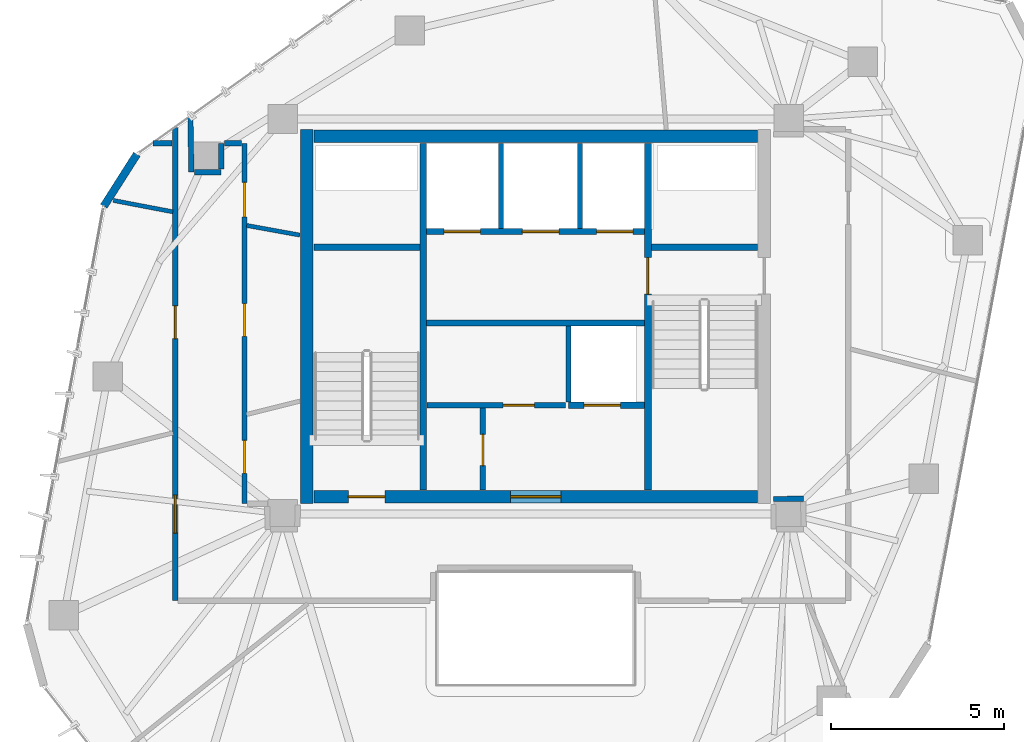
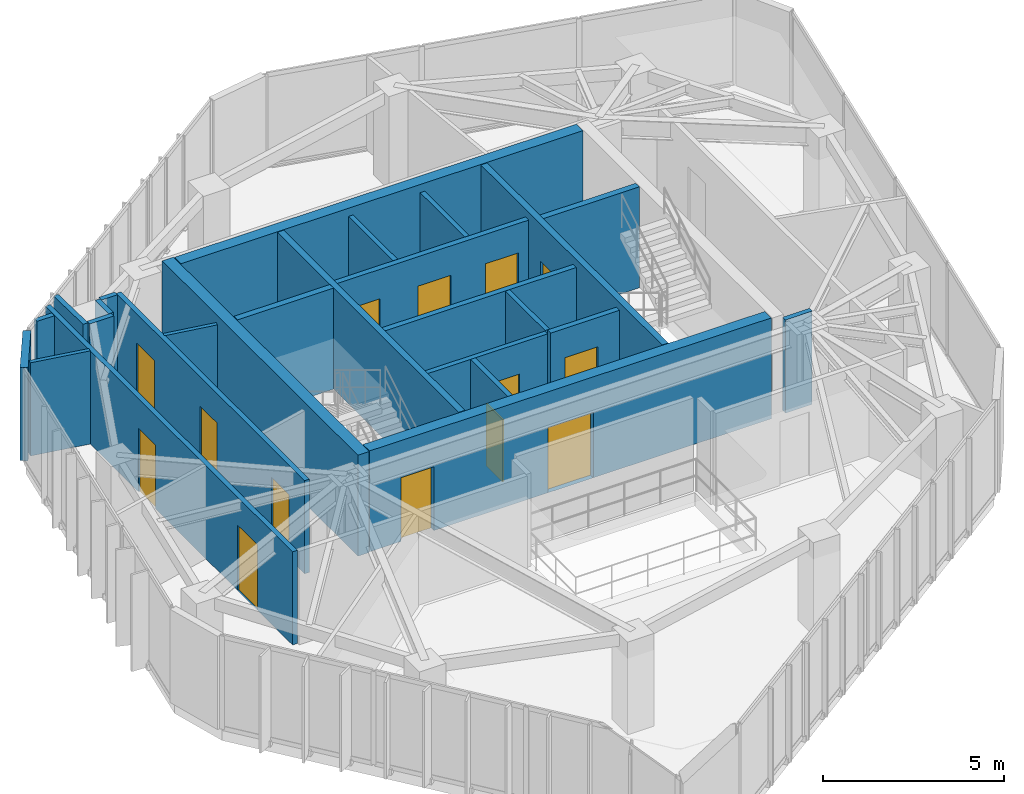
# One storey, part 16 of 19: 26 walls, 14 doors, 14 openings.
"""IFC4 building model written with IfcOpenShell, lengths in metres."""

import ifcopenshell
import ifcopenshell.guid

model = None  # the IFC model being written
_history = None  # IfcOwnerHistory: only IFC2X3 demands one
_inside = {}  # id of a spatial element -> (the spatial element, [elements in it])
_under = {}  # id of a project, library or spatial element -> (it, [spatial elements below it])
_declared = {}  # id of a project -> (the project, [libraries it declares])
_typed = {}  # id of a type object -> (the type object, [elements of that type])
_made_of = {}  # id of a material, layer set ... -> (it, [elements and type objects made of it])


def new_model(schema):
    """Start an empty IFC model of exactly this schema.

    Asked for "IFC4X3", IfcOpenShell would pick the latest addendum, in which some entities
    have other attributes; the version numbers below select the first issue.
    IFC2X3 requires an IfcOwnerHistory on every rooted entity: one is made here for all.
    """
    global model, _history
    if schema == "IFC4X3":
        model = ifcopenshell.file(schema_version=(4, 3, 0, 0))
    else:
        model = ifcopenshell.file(schema=schema)
    _inside.clear()
    _under.clear()
    _declared.clear()
    _typed.clear()
    _made_of.clear()
    _history = None
    if model.schema == "IFC2X3":
        org = make("IfcOrganization", Name="unknown")
        user = make(
            "IfcPersonAndOrganization",
            ThePerson=make("IfcPerson", FamilyName="unknown"),
            TheOrganization=org,
        )
        app = make(
            "IfcApplication",
            ApplicationDeveloper=org,
            Version="unknown",
            ApplicationFullName="unknown",
            ApplicationIdentifier="unknown",
        )
        _history = make(
            "IfcOwnerHistory",
            OwningUser=user,
            OwningApplication=app,
            ChangeAction="ADDED",
            CreationDate=0,
        )
    return model


def make(cls, **values):
    """One entity of the class cls with the attributes given. An attribute that is None is left unset."""
    return model.create_entity(
        cls, **{name: value for name, value in values.items() if value is not None}
    )


def rooted(cls, **values):
    """An entity with a GlobalId (a new one), such as an element, a storey or a relation."""
    return make(cls, GlobalId=ifcopenshell.guid.new(), OwnerHistory=_history, **values)


def si_unit(unit_type, name, prefix=None):
    """IfcSIUnit, for example si_unit("LENGTHUNIT", "METRE", prefix="MILLI")."""
    return make("IfcSIUnit", UnitType=unit_type, Prefix=prefix, Name=name)


def assignment(units):
    """IfcUnitAssignment: the units of a project."""
    return None if units is None else make("IfcUnitAssignment", Units=units)


def point(xyz):
    """IfcCartesianPoint."""
    return None if xyz is None else make("IfcCartesianPoint", Coordinates=xyz)


def direction(xyz):
    """IfcDirection."""
    return None if xyz is None else make("IfcDirection", DirectionRatios=xyz)


def frame(location, z_axis=None, x_axis=None):
    """IfcAxis2Placement3D, a coordinate frame: its origin and axes. An axis left out is left unset."""
    return make(
        "IfcAxis2Placement3D",
        Location=point(location),
        Axis=direction(z_axis),
        RefDirection=direction(x_axis),
    )


def frame_2d(location, x_axis=None):
    """IfcAxis2Placement2D, a coordinate frame in the plane: its origin and x axis."""
    return make(
        "IfcAxis2Placement2D", Location=point(location), RefDirection=direction(x_axis)
    )


def origin():
    """The frame at (0, 0, 0) with its axes left unset."""
    return frame((0.0, 0.0, 0.0))


def place(relative_to, where):
    """IfcLocalPlacement: puts the frame where relative to a parent placement (None: the world)."""
    return make(
        "IfcLocalPlacement", PlacementRelTo=relative_to, RelativePlacement=where
    )


def context(
    kind, dimensions, precision=None, world=None, true_north=None, identifier=None
):
    """IfcGeometricRepresentationContext, for example the 3D "Model" context."""
    return make(
        "IfcGeometricRepresentationContext",
        ContextIdentifier=identifier,
        ContextType=kind,
        CoordinateSpaceDimension=dimensions,
        Precision=precision,
        WorldCoordinateSystem=world,
        TrueNorth=true_north,
    )


def subcontext(parent, identifier, kind, view, scale=None):
    """IfcGeometricRepresentationSubContext, for example "Body" below "Model"."""
    return make(
        "IfcGeometricRepresentationSubContext",
        ContextIdentifier=identifier,
        ContextType=kind,
        ParentContext=parent,
        TargetScale=scale,
        TargetView=view,
    )


def project(units=None, contexts=None):
    """IfcProject with its units and contexts."""
    return rooted(
        "IfcProject",
        Name="project",
        RepresentationContexts=contexts,
        UnitsInContext=assignment(units),
    )


def spatial(cls, under=None, at=None, **own):
    """A site, building, storey or space (cls), placed at a placement, below another one or the project."""
    s = rooted(cls, ObjectPlacement=at, **own)
    if under is not None:
        _under.setdefault(under.id(), (under, []))[1].append(s)
    return s


def profile(cls, at=None, kind="AREA", **sizes):
    """A parametric profile (cls). Its sizes go by their IFC names, for example OverallWidth=200.0."""
    return make(cls, ProfileType=kind, Position=at, **sizes)


def rectangle(**sizes):
    """IfcRectangleProfileDef."""
    return profile("IfcRectangleProfileDef", **sizes)


def extrude(swept, where, along, depth):
    """IfcExtrudedAreaSolid: the profile swept, set in the frame where, extruded along a direction by depth."""
    return make(
        "IfcExtrudedAreaSolid",
        SweptArea=swept,
        Position=where,
        ExtrudedDirection=direction(along),
        Depth=depth,
    )


def shape(context_of_items, identifier, shape_type, items):
    """IfcShapeRepresentation: the items that make up one representation, for example the "Body"."""
    return make(
        "IfcShapeRepresentation",
        ContextOfItems=context_of_items,
        RepresentationIdentifier=identifier,
        RepresentationType=shape_type,
        Items=items,
    )


def source(mapping_origin, context_of_items, identifier, shape_type, items):
    """IfcRepresentationMap: a shape defined once, which mapped items show again and again."""
    return make(
        "IfcRepresentationMap",
        MappingOrigin=mapping_origin,
        MappedRepresentation=shape(context_of_items, identifier, shape_type, items),
    )


def transform(
    local_origin,
    x_axis=None,
    y_axis=None,
    z_axis=None,
    scale=None,
    scale2=None,
    scale3=None,
    uniform=True,
):
    """IfcCartesianTransformationOperator3D, or its non-uniform kind. x_axis, y_axis, z_axis: its Axis1, 2, 3."""
    if uniform:
        return make(
            "IfcCartesianTransformationOperator3D",
            Axis1=direction(x_axis),
            Axis2=direction(y_axis),
            LocalOrigin=point(local_origin),
            Scale=scale,
            Axis3=direction(z_axis),
        )
    return make(
        "IfcCartesianTransformationOperator3DnonUniform",
        Axis1=direction(x_axis),
        Axis2=direction(y_axis),
        LocalOrigin=point(local_origin),
        Scale=scale,
        Axis3=direction(z_axis),
        Scale2=scale2,
        Scale3=scale3,
    )


def mapped(mapping_source, mapping_target):
    """IfcMappedItem: shows the shape of a source again, moved by a transform."""
    return make(
        "IfcMappedItem", MappingSource=mapping_source, MappingTarget=mapping_target
    )


def material(Name=None, Category=None):
    """IfcMaterial."""
    return make("IfcMaterial", Name=Name, Category=Category)


def layer(
    of_material, thickness, ventilated=None, Name=None, Category=None, Priority=None
):
    """IfcMaterialLayer: one layer of a wall or slab, of a material (None: an air gap)."""
    return make(
        "IfcMaterialLayer",
        Material=of_material,
        LayerThickness=thickness,
        IsVentilated=ventilated,
        Name=Name,
        Category=Category,
        Priority=Priority,
    )


def layer_set(layers, Name=None):
    """IfcMaterialLayerSet."""
    return make("IfcMaterialLayerSet", MaterialLayers=layers, LayerSetName=Name)


def made_of(thing, what):
    """Note that an element or type object is made of a material, layer set ...; save() writes the relation."""
    if what is not None:
        _made_of.setdefault(what.id(), (what, []))[1].append(thing)
    return thing


def type_object(cls, material=None, **own):
    """A type object (cls), such as IfcWallType, which elements share."""
    return made_of(rooted(cls, **own), material)


def type_shapes(of_type, sources):
    """Give a type object the sources (RepresentationMaps) that its elements show as mapped items."""
    of_type.RepresentationMaps = sources


def element(
    cls,
    number,
    at=None,
    inside=None,
    cuts=None,
    type_object=None,
    material=None,
    context=None,
    identifier="Body",
    shape_type=None,
    held_by="IfcProductDefinitionShape",
    body=None,
    shapes=None,
    **own,
):
    """One element of the class cls, such as IfcWall. Its Tag is "e" and its number.

    at: its placement. inside: the storey or other place that contains it. cuts: it is an
    opening in that element (IfcRelVoidsElement). A single representation is given by context,
    identifier, shape_type and body (its items); several are given by shapes. held_by: the class
    of the entity that holds the representations. save() writes the other relations.
    """
    e = rooted(cls, Tag="e%d" % number, ObjectPlacement=at, **own)
    if body is not None:
        shapes = [shape(context, identifier, shape_type, body)]
    if shapes is not None:
        e.Representation = make(held_by, Representations=shapes)
    if inside is not None:
        _inside.setdefault(inside.id(), (inside, []))[1].append(e)
    if cuts is not None:
        rooted(
            "IfcRelVoidsElement", RelatingBuildingElement=cuts, RelatedOpeningElement=e
        )
    if type_object is not None:
        _typed.setdefault(type_object.id(), (type_object, []))[1].append(e)
    return made_of(e, material)


def fill(opening, filler):
    """IfcRelFillsElement: the door or window that sits in an opening."""
    return rooted(
        "IfcRelFillsElement",
        RelatingOpeningElement=opening,
        RelatedBuildingElement=filler,
    )


def aggregate(whole, parts):
    """IfcRelAggregates: a whole, such as a stair, and the parts it consists of."""
    return rooted("IfcRelAggregates", RelatingObject=whole, RelatedObjects=parts)


def save(model, path):
    """Write the relations noted so far, then the file.

    IfcRelAggregates (storeys below a building ...), IfcRelContainedInSpatialStructure (elements
    in a storey), IfcRelDefinesByType, IfcRelAssociatesMaterial and IfcRelDeclares: one each for
    every whole, place, type object, material and project.
    """
    for whole, parts in _under.values():
        aggregate(whole, parts)
    for where, things in _inside.values():
        rooted(
            "IfcRelContainedInSpatialStructure",
            RelatedElements=things,
            RelatingStructure=where,
        )
    for kind, things in _typed.values():
        rooted("IfcRelDefinesByType", RelatedObjects=things, RelatingType=kind)
    for what, things in _made_of.values():
        rooted("IfcRelAssociatesMaterial", RelatedObjects=things, RelatingMaterial=what)
    for by, libraries in _declared.values():
        rooted("IfcRelDeclares", RelatingContext=by, RelatedDefinitions=libraries)
    model.write(path)


model = new_model("IFC4")

# Units and contexts
model_context = context("Model", 3, precision=1e-05, world=origin(), true_north=direction((0.0, 1.0)))
body_context = subcontext(model_context, "Body", "Model", "MODEL_VIEW")
ifc_project = project(units=[si_unit("LENGTHUNIT", "METRE"), si_unit("AREAUNIT", "SQUARE_METRE"), si_unit("VOLUMEUNIT", "CUBIC_METRE"), si_unit("PLANEANGLEUNIT", "RADIAN"), si_unit("MASSUNIT", "GRAM", prefix="KILO")], contexts=[model_context])

# Site, building, storey
site_placement = place(None, origin())
site = spatial("IfcSite", under=ifc_project, at=site_placement, CompositionType="ELEMENT")
building_placement = place(site_placement, origin())
building = spatial("IfcBuilding", under=site, at=building_placement, Name="Talar Marvaseh", CompositionType="ELEMENT")
storey_placement = place(building_placement, frame((0.0, 0.0, 240.800048828125)))
storey = spatial("IfcBuildingStorey", under=building, at=storey_placement, Name="L63", CompositionType="ELEMENT", Elevation=240.800048828125)

# Wall
ifc_material_1 = material(Name="Precast concrete C45/55", Category="concrete")
ifc_layer_1 = layer(ifc_material_1, 0.22509765625)
ifc_layer_set_1 = layer_set([ifc_layer_1], Name="Precast concrete C45/55")
wall_type_1 = type_object("IfcWallType", Name="Chamfered Hexagonal Corner Pier Wall Z4 225", PredefinedType="SOLIDWALL", material=ifc_layer_set_1)
wall_1_placement = place(storey_placement, frame((13.539794921875, 34.38232421875, 0.0), z_axis=(0.0, 0.0, 1.0), x_axis=(0.537336749031, 0.843367783438, 0.0)))
element("IfcWall", 1, at=wall_1_placement, inside=storey, type_object=wall_type_1, Name="L63 Chamfered Corner Limestone Pier 3", PredefinedType="SOLIDWALL", context=body_context, shape_type="SweptSolid", body=[
    extrude(rectangle(XDim=1.780517578125, YDim=0.22509765625, at=frame_2d((0.89013671875, 0.0))), origin(), (0.0, 0.0, 1.0), 3.139892578125),
])

# Wall, opening, door
ifc_material_2 = material(Name="Gypsum Board Partition Assembly")
ifc_layer_2 = layer(ifc_material_2, 0.155029296875)
ifc_layer_set_2 = layer_set([ifc_layer_2], Name="Gypsum Board Partition Assembly")
wall_type_2 = type_object("IfcWallType", Name="Corridor Fire-Rated Acoustic Partition 155", PredefinedType="PARTITIONING", material=ifc_layer_set_2)
wall_2_placement = place(storey_placement, frame((22.865966796875, 28.639892578125, 0.0), z_axis=(0.0, 0.0, 1.0), x_axis=(1.0, 0.0, 0.0)))
wall_2 = element("IfcWall", 2, at=wall_2_placement, inside=storey, type_object=wall_type_2, Name="L63 Core BOH Partition", PredefinedType="PARTITIONING", context=body_context, shape_type="SweptSolid", body=[
    extrude(rectangle(XDim=3.994140625, YDim=0.155029296875, at=frame_2d((1.9970703125, 0.0))), origin(), (0.0, 0.0, 1.0), 3.139892578125),
])
opening_1_placement = place(wall_2_placement, frame((2.199951171875, 0.0, 0.0)))
opening_1 = element("IfcOpeningElement", 3, at=opening_1_placement, cuts=wall_2, Name="Opening DR-BOH090", PredefinedType="OPENING", context=body_context, shape_type="SweptSolid", body=[
    extrude(rectangle(XDim=0.89990234375, YDim=2.10009765625, at=frame_2d((0.449951171875, 1.050048828125))), frame((0.0, 0.08740234375, 0.0), z_axis=(0.0, -1.0, 0.0), x_axis=(1.0, 0.0, 0.0)), (0.0, 0.0, 1.0), 0.175048828125),
])
ifc_material_3 = material(Name="Fire-Rated Steel Door Leaf", Category="steel")
door_type_1 = type_object("IfcDoorType", Name="Core Back-of-House Service Door 900x2100", OperationType="NOTDEFINED", PredefinedType="DOOR", material=ifc_material_3)
shared_shape_1 = source(origin(), body_context, "Body", "SweptSolid", [
    extrude(rectangle(XDim=0.89990234375, YDim=2.10009765625, at=frame_2d((0.449951171875, 1.050048828125))), frame((0.0, 0.02490234375, 0.0), z_axis=(0.0, -1.0, 0.0), x_axis=(1.0, 0.0, 0.0)), (0.0, 0.0, 1.0), 0.050048828125),
])
type_shapes(door_type_1, [shared_shape_1])
door_1_placement = place(opening_1_placement, origin())
door_1 = element("IfcDoor", 4, at=door_1_placement, inside=storey, type_object=door_type_1, Name="L63 Store Sky Core Archive Room Door", OperationType="SINGLE_SWING_LEFT", OverallHeight=2.10009765625, OverallWidth=0.89990234375, PredefinedType="DOOR", context=body_context, shape_type="MappedRepresentation", body=[
    mapped(shared_shape_1, transform((0.0, 0.0, 0.0), x_axis=(1.0, 0.0, 0.0), y_axis=(0.0, 1.0, 0.0), z_axis=(0.0, 0.0, 1.0), scale=1.0)),
])
fill(opening_1, door_1)

wall_3_placement = place(storey_placement, frame((24.47998046875, 26.199951171875, 0.0), z_axis=(0.0, 0.0, 1.0), x_axis=(0.0, 1.0, 0.0)))
wall_3 = element("IfcWall", 5, at=wall_3_placement, inside=storey, type_object=wall_type_2, Name="L63 Core BOH Partition", PredefinedType="PARTITIONING", context=body_context, shape_type="SweptSolid", body=[
    extrude(rectangle(XDim=2.360107421875, YDim=0.155029296875, at=frame_2d((1.18017578125, 0.0))), origin(), (0.0, 0.0, 1.0), 3.139892578125),
])
opening_2_placement = place(wall_3_placement, frame((0.699951171875, 0.0, 0.0)))
opening_2 = element("IfcOpeningElement", 6, at=opening_2_placement, cuts=wall_3, Name="Opening DR-BOH090", PredefinedType="OPENING", context=body_context, shape_type="SweptSolid", body=[
    extrude(rectangle(XDim=0.89990234375, YDim=2.10009765625, at=frame_2d((0.449951171875, 1.050048828125))), frame((0.0, 0.08740234375, 0.0), z_axis=(0.0, -1.0, 0.0), x_axis=(1.0, 0.0, 0.0)), (0.0, 0.0, 1.0), 0.175048828125),
])
door_2_placement = place(opening_2_placement, origin())
door_2 = element("IfcDoor", 7, at=door_2_placement, inside=storey, type_object=door_type_1, Name="L63 Cleaner and Linen Store Door", OperationType="SINGLE_SWING_LEFT", OverallHeight=2.10009765625, OverallWidth=0.89990234375, PredefinedType="DOOR", context=body_context, shape_type="MappedRepresentation", body=[
    mapped(shared_shape_1, transform((0.0, 0.0, 0.0), x_axis=(1.0, 0.0, 0.0), y_axis=(0.0, 1.0, 0.0), z_axis=(0.0, 0.0, 1.0), scale=1.0)),
])
fill(opening_2, door_2)

# Wall, openings, doors
wall_4_placement = place(storey_placement, frame((17.60009765625, 36.199951171875, 0.0), z_axis=(0.0, 0.0, 1.0), x_axis=(0.0, -1.0, 0.0)))
wall_4 = element("IfcWall", 8, at=wall_4_placement, inside=storey, type_object=wall_type_2, Name="L63 Interior Partition Wall", PredefinedType="PARTITIONING", context=body_context, shape_type="SweptSolid", body=[
    extrude(rectangle(XDim=10.39990234375, YDim=0.155029296875, at=frame_2d((5.199951171875, 0.0))), origin(), (0.0, 0.0, 1.0), 3.139892578125),
])
opening_3_placement = place(wall_4_placement, frame((8.573486328125, 0.0, 0.0)))
opening_3 = element("IfcOpeningElement", 9, at=opening_3_placement, cuts=wall_4, Name="Opening DR-WC095", PredefinedType="OPENING", context=body_context, shape_type="SweptSolid", body=[
    extrude(rectangle(XDim=0.949951171875, YDim=2.14990234375, at=frame_2d((0.47509765625, 1.074951171875))), frame((0.0, 0.08740234375, 0.0), z_axis=(0.0, -1.0, 0.0), x_axis=(1.0, 0.0, 0.0)), (0.0, 0.0, 1.0), 0.175048828125),
])
opening_4_placement = place(wall_4_placement, frame((1.125, 0.0, 0.0)))
opening_4 = element("IfcOpeningElement", 10, at=opening_4_placement, cuts=wall_4, Name="Opening DR-RM100", PredefinedType="OPENING", context=body_context, shape_type="SweptSolid", body=[
    extrude(rectangle(XDim=1.0, YDim=2.14990234375, at=frame_2d((0.5, 1.074951171875))), frame((0.0, 0.08740234375, 0.0), z_axis=(0.0, -1.0, 0.0), x_axis=(1.0, 0.0, 0.0)), (0.0, 0.0, 1.0), 0.175048828125),
])
opening_5_placement = place(wall_4_placement, frame((4.62451171875, 0.0, 0.0)))
opening_5 = element("IfcOpeningElement", 11, at=opening_5_placement, cuts=wall_4, Name="Opening DR-WC095", PredefinedType="OPENING", context=body_context, shape_type="SweptSolid", body=[
    extrude(rectangle(XDim=0.949951171875, YDim=2.14990234375, at=frame_2d((0.47509765625, 1.074951171875))), frame((0.0, 0.08740234375, 0.0), z_axis=(0.0, -1.0, 0.0), x_axis=(1.0, 0.0, 0.0)), (0.0, 0.0, 1.0), 0.175048828125),
])
ifc_material_4 = material(Name="Acoustic Engineered Oak Timber", Category="wood")
door_type_2 = type_object("IfcDoorType", Name="Washroom and Service Room Door 950x2150", OperationType="NOTDEFINED", PredefinedType="DOOR", material=ifc_material_4)
shared_shape_2 = source(origin(), body_context, "Body", "SweptSolid", [
    extrude(rectangle(XDim=0.949951171875, YDim=2.14990234375, at=frame_2d((0.47509765625, 1.074951171875))), frame((0.0, 0.02490234375, 0.0), z_axis=(0.0, -1.0, 0.0), x_axis=(1.0, 0.0, 0.0)), (0.0, 0.0, 1.0), 0.050048828125),
])
type_shapes(door_type_2, [shared_shape_2])
door_3_placement = place(opening_3_placement, origin())
door_3 = element("IfcDoor", 12, at=door_3_placement, inside=storey, type_object=door_type_2, Name="L63 WC Public Washrooms Door", OperationType="SINGLE_SWING_LEFT", OverallHeight=2.14990234375, OverallWidth=0.949951171875, PredefinedType="DOOR", context=body_context, shape_type="MappedRepresentation", body=[
    mapped(shared_shape_2, transform((0.0, 0.0, 0.0), x_axis=(1.0, 0.0, 0.0), y_axis=(0.0, 1.0, 0.0), z_axis=(0.0, 0.0, 1.0), scale=1.0)),
])
fill(opening_3, door_3)
door_4_placement = place(opening_5_placement, origin())
door_4 = element("IfcDoor", 13, at=door_4_placement, inside=storey, type_object=door_type_2, Name="L63 Accessible WC Door", OperationType="SINGLE_SWING_RIGHT", OverallHeight=2.14990234375, OverallWidth=0.949951171875, PredefinedType="DOOR", context=body_context, shape_type="MappedRepresentation", body=[
    mapped(shared_shape_2, transform((0.0, 0.0, 0.0), x_axis=(1.0, 0.0, 0.0), y_axis=(0.0, 1.0, 0.0), z_axis=(0.0, 0.0, 1.0), scale=1.0)),
])
fill(opening_5, door_4)
door_type_3 = type_object("IfcDoorType", Name="Corridor Fire-Rated Gallery Door 1000x2150", OperationType="NOTDEFINED", PredefinedType="DOOR", material=ifc_material_4)
shared_shape_3 = source(origin(), body_context, "Body", "SweptSolid", [
    extrude(rectangle(XDim=1.0, YDim=2.14990234375, at=frame_2d((0.5, 1.074951171875))), frame((0.0, 0.02490234375, 0.0), z_axis=(0.0, -1.0, 0.0), x_axis=(1.0, 0.0, 0.0)), (0.0, 0.0, 1.0), 0.050048828125),
])
type_shapes(door_type_3, [shared_shape_3])
door_5_placement = place(opening_4_placement, origin())
door_5 = element("IfcDoor", 14, at=door_5_placement, inside=storey, type_object=door_type_3, Name="L63 Scholars' Registration Reception Door", OperationType="SINGLE_SWING_RIGHT", OverallHeight=2.14990234375, OverallWidth=1.0, PredefinedType="DOOR", context=body_context, shape_type="MappedRepresentation", body=[
    mapped(shared_shape_3, transform((0.0, 0.0, 0.0), x_axis=(1.0, 0.0, 0.0), y_axis=(0.0, 1.0, 0.0), z_axis=(0.0, 0.0, 1.0), scale=1.0)),
])
fill(opening_4, door_5)

wall_5_placement = place(storey_placement, frame((15.60009765625, 23.0, 0.0), z_axis=(0.0, 0.0, 1.0), x_axis=(0.0, 1.0, 0.0)))
wall_5 = element("IfcWall", 15, at=wall_5_placement, inside=storey, type_object=wall_type_2, Name="L63 Interior Partition Wall", PredefinedType="PARTITIONING", context=body_context, shape_type="SweptSolid", body=[
    extrude(rectangle(XDim=13.649658203125, YDim=0.155029296875, at=frame_2d((6.82470703125, 0.0))), origin(), (0.0, 0.0, 1.0), 3.139892578125),
])
opening_6_placement = place(wall_5_placement, frame((1.94970703125, 0.0, 0.0)))
opening_6 = element("IfcOpeningElement", 16, at=opening_6_placement, cuts=wall_5, Name="Opening DR-RM110", PredefinedType="OPENING", context=body_context, shape_type="SweptSolid", body=[
    extrude(rectangle(XDim=1.10009765625, YDim=2.199951171875, at=frame_2d((0.550048828125, 1.10009765625))), frame((0.0, 0.08740234375, 0.0), z_axis=(0.0, -1.0, 0.0), x_axis=(1.0, 0.0, 0.0)), (0.0, 0.0, 1.0), 0.175048828125),
])
opening_7_placement = place(wall_5_placement, frame((7.56103515625, 0.0, 0.0)))
opening_7 = element("IfcOpeningElement", 17, at=opening_7_placement, cuts=wall_5, Name="Opening DR-WC095", PredefinedType="OPENING", context=body_context, shape_type="SweptSolid", body=[
    extrude(rectangle(XDim=0.949951171875, YDim=2.14990234375, at=frame_2d((0.47509765625, 1.074951171875))), frame((0.0, 0.08740234375, 0.0), z_axis=(0.0, -1.0, 0.0), x_axis=(1.0, 0.0, 0.0)), (0.0, 0.0, 1.0), 0.175048828125),
])
door_6_placement = place(opening_7_placement, origin())
door_6 = element("IfcDoor", 18, at=door_6_placement, inside=storey, type_object=door_type_2, Name="L63 Fellows' Coffee Pantry Door", OperationType="SINGLE_SWING_LEFT", OverallHeight=2.14990234375, OverallWidth=0.949951171875, PredefinedType="DOOR", context=body_context, shape_type="MappedRepresentation", body=[
    mapped(shared_shape_2, transform((0.0, 0.0, 0.0), x_axis=(1.0, 0.0, 0.0), y_axis=(0.0, 1.0, 0.0), z_axis=(0.0, 0.0, 1.0), scale=1.0)),
])
fill(opening_7, door_6)
door_type_4 = type_object("IfcDoorType", Name="Assembly and Reading Hall Door 1100x2200", OperationType="NOTDEFINED", PredefinedType="DOOR", material=ifc_material_4)
shared_shape_4 = source(origin(), body_context, "Body", "SweptSolid", [
    extrude(rectangle(XDim=1.10009765625, YDim=2.199951171875, at=frame_2d((0.550048828125, 1.10009765625))), frame((0.0, 0.02490234375, 0.0), z_axis=(0.0, -1.0, 0.0), x_axis=(1.0, 0.0, 0.0)), (0.0, 0.0, 1.0), 0.050048828125),
])
type_shapes(door_type_4, [shared_shape_4])
door_7_placement = place(opening_6_placement, origin())
door_7 = element("IfcDoor", 19, at=door_7_placement, inside=storey, type_object=door_type_4, Name="L63 Gallery Concierge Reception Door", OperationType="SINGLE_SWING_LEFT", OverallHeight=2.199951171875, OverallWidth=1.10009765625, PredefinedType="DOOR", context=body_context, shape_type="MappedRepresentation", body=[
    mapped(shared_shape_4, transform((0.0, 0.0, 0.0), x_axis=(1.0, 0.0, 0.0), y_axis=(0.0, 1.0, 0.0), z_axis=(0.0, 0.0, 1.0), scale=1.0)),
])
fill(opening_6, door_7)

# Walls
wall_6_placement = place(storey_placement, frame((16.040283203125, 36.962646484375, 0.0), z_axis=(0.0, 0.0, 1.0), x_axis=(0.018050914036, -0.999837068978, 0.0)))
element("IfcWall", 20, at=wall_6_placement, inside=storey, type_object=wall_type_2, Name="L63 Interior Partition Wall", PredefinedType="PARTITIONING", context=body_context, shape_type="SweptSolid", body=[
    extrude(rectangle(XDim=1.595947265625, YDim=0.155029296875, at=frame_2d((0.7978515625, 0.0))), origin(), (0.0, 0.0, 1.0), 3.139892578125),
])
wall_7_placement = place(storey_placement, frame((16.152587890625, 35.3671875, 0.0), z_axis=(0.0, 0.0, 1.0), x_axis=(0.999997558852, 0.002209590566, 0.0)))
element("IfcWall", 21, at=wall_7_placement, inside=storey, type_object=wall_type_2, Name="L63 Interior Partition Wall", PredefinedType="PARTITIONING", context=body_context, shape_type="SweptSolid", body=[
    extrude(rectangle(XDim=0.7734375, YDim=0.155029296875, at=frame_2d((0.38671875, 0.0))), origin(), (0.0, 0.0, 1.0), 3.139892578125),
])
wall_8_placement = place(storey_placement, frame((16.927001953125, 35.452392578125, 0.0), z_axis=(0.0, 0.0, 1.0), x_axis=(0.009470509294, 0.999955153721, 0.0)))
element("IfcWall", 22, at=wall_8_placement, inside=storey, type_object=wall_type_2, Name="L63 Interior Partition Wall", PredefinedType="PARTITIONING", context=body_context, shape_type="SweptSolid", body=[
    extrude(rectangle(XDim=0.74755859375, YDim=0.155029296875, at=frame_2d((0.373779296875, 0.0))), origin(), (0.0, 0.0, 1.0), 3.139892578125),
])
wall_9_placement = place(storey_placement, frame((17.017578125, 36.199951171875, 0.0), z_axis=(0.0, 0.0, 1.0), x_axis=(1.0, 0.0, 0.0)))
element("IfcWall", 23, at=wall_9_placement, inside=storey, type_object=wall_type_2, Name="L63 Interior Partition Wall", PredefinedType="PARTITIONING", context=body_context, shape_type="SweptSolid", body=[
    extrude(rectangle(XDim=0.4990234375, YDim=0.155029296875, at=frame_2d((0.24951171875, 0.0))), origin(), (0.0, 0.0, 1.0), 3.139892578125),
])
wall_10_placement = place(storey_placement, frame((14.957763671875, 36.199951171875, 0.0), z_axis=(0.0, 0.0, 1.0), x_axis=(1.0, 0.0, 0.0)))
element("IfcWall", 24, at=wall_10_placement, inside=storey, type_object=wall_type_2, Name="L63 Interior Partition Wall", PredefinedType="PARTITIONING", context=body_context, shape_type="SweptSolid", body=[
    extrude(rectangle(XDim=0.558837890625, YDim=0.155029296875, at=frame_2d((0.279296875, 0.0))), origin(), (0.0, 0.0, 1.0), 3.139892578125),
])
wall_11_placement = place(storey_placement, frame((33.72509765625, 25.93994140625, 0.0), z_axis=(0.0, 0.0, 1.0), x_axis=(-0.999986790873, -0.005139852152, 0.0)))
element("IfcWall", 25, at=wall_11_placement, inside=storey, type_object=wall_type_2, Name="L63 Interior Partition Wall", PredefinedType="PARTITIONING", context=body_context, shape_type="SweptSolid", body=[
    extrude(rectangle(XDim=0.85498046875, YDim=0.155029296875, at=frame_2d((0.427490234375, 0.0))), origin(), (0.0, 0.0, 1.0), 3.139892578125),
])
ifc_layer_3 = layer(ifc_material_2, 0.1201171875)
ifc_layer_set_3 = layer_set([ifc_layer_3], Name="Gypsum Board Partition Assembly")
wall_type_3 = type_object("IfcWallType", Name="Demountable Studio Room Partition 120", PredefinedType="PARTITIONING", material=ifc_layer_set_3)
wall_12_placement = place(storey_placement, frame((19.199951171875, 33.550048828125, 0.0), z_axis=(0.0, 0.0, 1.0), x_axis=(-0.983974847736, 0.178307316233, 0.0)))
element("IfcWall", 26, at=wall_12_placement, inside=storey, type_object=wall_type_3, Name="L63 Interior Partition Wall", PredefinedType="PARTITIONING", context=body_context, shape_type="SweptSolid", body=[
    extrude(rectangle(XDim=1.560791015625, YDim=0.1201171875, at=frame_2d((0.7802734375, 0.0))), origin(), (0.0, 0.0, 1.0), 3.139892578125),
])
wall_13_placement = place(storey_placement, frame((15.5361328125, 34.22216796875, 0.0), z_axis=(0.0, 0.0, 1.0), x_axis=(-0.98229210152, 0.187355884059, 0.0)))
element("IfcWall", 27, at=wall_13_placement, inside=storey, type_object=wall_type_3, Name="L63 Interior Partition Wall", PredefinedType="PARTITIONING", context=body_context, shape_type="SweptSolid", body=[
    extrude(rectangle(XDim=1.748779296875, YDim=0.1201171875, at=frame_2d((0.87451171875, 0.0))), origin(), (0.0, 0.0, 1.0), 3.139892578125),
])
ifc_layer_4 = layer(ifc_material_1, 0.14501953125)
ifc_layer_set_4 = layer_set([ifc_layer_4], Name="Precast concrete C45/55")
wall_type_4 = type_object("IfcWallType", Name="Fire-Rated Lift Divider Wall 145", PredefinedType="SOLIDWALL", material=ifc_layer_set_4)
for number, where, z_axis, x_axis, name in (
    (28, (25.0, 33.743408203125, 0.0), (0.0, 0.0, 1.0), (0.0, 1.0, 0.0), "L63 FFL-1/FFL-2 Divider"),
    (29, (27.280029296875, 33.743408203125, 0.0), (0.0, 0.0, 1.0), (0.0, 1.0, 0.0), "L63 FFL-2/SVL-1 Divider"),
):
    element("IfcWall", number, at=place(storey_placement, frame(where, z_axis=z_axis, x_axis=x_axis)), inside=storey, type_object=wall_type_4, Name=name, PredefinedType="SOLIDWALL", context=body_context, shape_type="SweptSolid", body=[
        extrude(rectangle(XDim=2.45654296875, YDim=0.14501953125, at=frame_2d((1.228271484375, 0.0))), origin(), (0.0, 0.0, 1.0), 3.139892578125),
    ])
wall_14_placement = place(storey_placement, frame((26.949951171875, 28.7333984375, 0.0), z_axis=(0.0, 0.0, 1.0), x_axis=(0.0, 1.0, 0.0)))
element("IfcWall", 30, at=wall_14_placement, inside=storey, type_object=wall_type_4, Name="L63 PL-H3 West Shaft Wall", PredefinedType="SOLIDWALL", context=body_context, shape_type="SweptSolid", body=[
    extrude(rectangle(XDim=2.193115234375, YDim=0.14501953125, at=frame_2d((1.0966796875, 0.0))), origin(), (0.0, 0.0, 1.0), 3.139892578125),
])

# Wall, openings, doors
ifc_layer_5 = layer(ifc_material_1, 0.175048828125)
ifc_layer_set_5 = layer_set([ifc_layer_5], Name="Precast concrete C45/55")
wall_type_5 = type_object("IfcWallType", Name="Fire-Rated Lift Hoistway Enclosure Wall 175", PredefinedType="SOLIDWALL", material=ifc_layer_set_5)
wall_15_placement = place(storey_placement, frame((22.860107421875, 33.64990234375, 0.0), z_axis=(0.0, 0.0, 1.0), x_axis=(1.0, 0.0, 0.0)))
wall_15 = element("IfcWall", 31, at=wall_15_placement, inside=storey, type_object=wall_type_5, Name="L63 Firefighting and Service Lift Front Wall", PredefinedType="SOLIDWALL", context=body_context, shape_type="SweptSolid", body=[
    extrude(rectangle(XDim=6.27978515625, YDim=0.175048828125, at=frame_2d((3.139892578125, 0.0))), origin(), (0.0, 0.0, 1.0), 3.139892578125),
])
opening_8_placement = place(wall_15_placement, frame((0.5, 0.0, 0.0)))
opening_8 = element("IfcOpeningElement", 32, at=opening_8_placement, cuts=wall_15, Name="Opening LD-FF1", PredefinedType="OPENING", context=body_context, shape_type="SweptSolid", body=[
    extrude(rectangle(XDim=1.050048828125, YDim=2.14990234375, at=frame_2d((0.52490234375, 1.074951171875))), frame((0.0, 0.09765625, 0.0), z_axis=(0.0, -1.0, 0.0), x_axis=(1.0, 0.0, 0.0)), (0.0, 0.0, 1.0), 0.195068359375),
])
opening_9_placement = place(wall_15_placement, frame((2.760009765625, 0.0, 0.0)))
opening_9 = element("IfcOpeningElement", 33, at=opening_9_placement, cuts=wall_15, Name="Opening LD-FF2", PredefinedType="OPENING", context=body_context, shape_type="SweptSolid", body=[
    extrude(rectangle(XDim=1.050048828125, YDim=2.14990234375, at=frame_2d((0.52490234375, 1.074951171875))), frame((0.0, 0.09765625, 0.0), z_axis=(0.0, -1.0, 0.0), x_axis=(1.0, 0.0, 0.0)), (0.0, 0.0, 1.0), 0.195068359375),
])
opening_10_placement = place(wall_15_placement, frame((4.89990234375, 0.0, 0.0)))
opening_10 = element("IfcOpeningElement", 34, at=opening_10_placement, cuts=wall_15, Name="Opening LD-SV1", PredefinedType="OPENING", context=body_context, shape_type="SweptSolid", body=[
    extrude(rectangle(XDim=1.050048828125, YDim=2.14990234375, at=frame_2d((0.52490234375, 1.074951171875))), frame((0.0, 0.09765625, 0.0), z_axis=(0.0, -1.0, 0.0), x_axis=(1.0, 0.0, 0.0)), (0.0, 0.0, 1.0), 0.195068359375),
])
ifc_material_5 = material(Name="Stainless Steel Grade 316", Category="steel")
door_type_5 = type_object("IfcDoorType", Name="Automatic Sliding Lift Landing Door 1050x2150", OperationType="NOTDEFINED", PredefinedType="DOOR", material=ifc_material_5)
shared_shape_5 = source(origin(), body_context, "Body", "SweptSolid", [
    extrude(rectangle(XDim=1.050048828125, YDim=2.14990234375, at=frame_2d((0.52490234375, 1.074951171875))), frame((0.0, 0.02490234375, 0.0), z_axis=(0.0, -1.0, 0.0), x_axis=(1.0, 0.0, 0.0)), (0.0, 0.0, 1.0), 0.050048828125),
])
type_shapes(door_type_5, [shared_shape_5])
door_8_placement = place(opening_8_placement, origin())
door_8 = element("IfcDoor", 35, at=door_8_placement, inside=storey, type_object=door_type_5, Name="L63 Lift FFL-1 Sliding Landing Door", OperationType="SLIDING_TO_LEFT", OverallHeight=2.14990234375, OverallWidth=1.050048828125, PredefinedType="DOOR", context=body_context, shape_type="MappedRepresentation", body=[
    mapped(shared_shape_5, transform((0.0, 0.0, 0.0), x_axis=(1.0, 0.0, 0.0), y_axis=(0.0, 1.0, 0.0), z_axis=(0.0, 0.0, 1.0), scale=1.0)),
])
fill(opening_8, door_8)
door_9_placement = place(opening_9_placement, origin())
door_9 = element("IfcDoor", 36, at=door_9_placement, inside=storey, type_object=door_type_5, Name="L63 Lift FFL-2 Sliding Landing Door", OperationType="SLIDING_TO_LEFT", OverallHeight=2.14990234375, OverallWidth=1.050048828125, PredefinedType="DOOR", context=body_context, shape_type="MappedRepresentation", body=[
    mapped(shared_shape_5, transform((0.0, 0.0, 0.0), x_axis=(1.0, 0.0, 0.0), y_axis=(0.0, 1.0, 0.0), z_axis=(0.0, 0.0, 1.0), scale=1.0)),
])
fill(opening_9, door_9)
door_10_placement = place(opening_10_placement, origin())
door_10 = element("IfcDoor", 37, at=door_10_placement, inside=storey, type_object=door_type_5, Name="L63 Lift SVL-1 Sliding Landing Door", OperationType="SLIDING_TO_LEFT", OverallHeight=2.14990234375, OverallWidth=1.050048828125, PredefinedType="DOOR", context=body_context, shape_type="MappedRepresentation", body=[
    mapped(shared_shape_5, transform((0.0, 0.0, 0.0), x_axis=(1.0, 0.0, 0.0), y_axis=(0.0, 1.0, 0.0), z_axis=(0.0, 0.0, 1.0), scale=1.0)),
])
fill(opening_10, door_10)

# Wall
wall_16_placement = place(storey_placement, frame((22.860107421875, 31.02001953125, 0.0), z_axis=(0.0, 0.0, 1.0), x_axis=(1.0, 0.0, 0.0)))
element("IfcWall", 38, at=wall_16_placement, inside=storey, type_object=wall_type_5, Name="L63 Firefighting Lobby South Smoke Wall", PredefinedType="SOLIDWALL", context=body_context, shape_type="SweptSolid", body=[
    extrude(rectangle(XDim=6.27978515625, YDim=0.175048828125, at=frame_2d((3.139892578125, 0.0))), origin(), (0.0, 0.0, 1.0), 3.139892578125),
])

# Wall, opening, door
wall_17_placement = place(storey_placement, frame((26.949951171875, 28.639892578125, 0.0), z_axis=(0.0, 0.0, 1.0), x_axis=(1.0, 0.0, 0.0)))
wall_17 = element("IfcWall", 39, at=wall_17_placement, inside=storey, type_object=wall_type_5, Name="L63 Sky Express Lift Front Wall", PredefinedType="SOLIDWALL", context=body_context, shape_type="SweptSolid", body=[
    extrude(rectangle(XDim=2.18994140625, YDim=0.175048828125, at=frame_2d((1.094970703125, 0.0))), origin(), (0.0, 0.0, 1.0), 3.139892578125),
])
opening_11_placement = place(wall_17_placement, frame((0.449951171875, 0.0, 0.0)))
opening_11 = element("IfcOpeningElement", 40, at=opening_11_placement, cuts=wall_17, Name="Opening LD-PLH3", PredefinedType="OPENING", context=body_context, shape_type="SweptSolid", body=[
    extrude(rectangle(XDim=1.050048828125, YDim=2.14990234375, at=frame_2d((0.52490234375, 1.074951171875))), frame((0.0, 0.09765625, 0.0), z_axis=(0.0, -1.0, 0.0), x_axis=(1.0, 0.0, 0.0)), (0.0, 0.0, 1.0), 0.195068359375),
])
door_11_placement = place(opening_11_placement, origin())
door_11 = element("IfcDoor", 41, at=door_11_placement, inside=storey, type_object=door_type_5, Name="L63 Lift PL-H3 Sliding Landing Door", OperationType="SLIDING_TO_LEFT", OverallHeight=2.14990234375, OverallWidth=1.050048828125, PredefinedType="DOOR", context=body_context, shape_type="MappedRepresentation", body=[
    mapped(shared_shape_5, transform((0.0, 0.0, 0.0), x_axis=(1.0, 0.0, 0.0), y_axis=(0.0, 1.0, 0.0), z_axis=(0.0, 0.0, 1.0), scale=1.0)),
])
fill(opening_11, door_11)

# Wall
ifc_material_6 = material(Name="Concrete C50/60", Category="concrete")
ifc_layer_6 = layer(ifc_material_6, 0.199951171875)
ifc_layer_set_6 = layer_set([ifc_layer_6], Name="Concrete C50/60")
wall_type_6 = type_object("IfcWallType", Name="Stair Shaft Structural Concrete Shear Wall 200", PredefinedType="SHEAR", material=ifc_layer_set_6)
wall_18_placement = place(storey_placement, frame((22.760009765625, 26.199951171875, 0.0), z_axis=(0.0, 0.0, 1.0), x_axis=(0.0, 1.0, 0.0)))
element("IfcWall", 42, at=wall_18_placement, inside=storey, type_object=wall_type_6, Name="L63 Core West Stair Shear Wall", PredefinedType="SHEAR", context=body_context, shape_type="SweptSolid", body=[
    extrude(rectangle(XDim=10.0, YDim=0.199951171875, at=frame_2d((5.0, 0.0))), origin(), (0.0, 0.0, 1.0), 3.39990234375),
])

# Wall, opening, door
wall_19_placement = place(storey_placement, frame((29.239990234375, 26.199951171875, 0.0), z_axis=(0.0, 0.0, 1.0), x_axis=(0.0, 1.0, 0.0)))
wall_19 = element("IfcWall", 43, at=wall_19_placement, inside=storey, type_object=wall_type_6, Name="L63 Core East Stair Shear Wall", PredefinedType="SHEAR", context=body_context, shape_type="SweptSolid", body=[
    extrude(rectangle(XDim=10.0, YDim=0.199951171875, at=frame_2d((5.0, 0.0))), origin(), (0.0, 0.0, 1.0), 3.39990234375),
])
opening_12_placement = place(wall_19_placement, frame((5.64990234375, 0.0, 0.0)))
opening_12 = element("IfcOpeningElement", 44, at=opening_12_placement, cuts=wall_19, Name="Opening DR-ST105", PredefinedType="OPENING", context=body_context, shape_type="SweptSolid", body=[
    extrude(rectangle(XDim=1.050048828125, YDim=2.14990234375, at=frame_2d((0.52490234375, 1.074951171875))), frame((0.0, 0.10986328125, 0.0), z_axis=(0.0, -1.0, 0.0), x_axis=(1.0, 0.0, 0.0)), (0.0, 0.0, 1.0), 0.219970703125),
])
door_type_6 = type_object("IfcDoorType", Name="Protected Exit Stair Fire Door 1050x2150", OperationType="NOTDEFINED", PredefinedType="DOOR", material=ifc_material_3)
shared_shape_6 = source(origin(), body_context, "Body", "SweptSolid", [
    extrude(rectangle(XDim=1.050048828125, YDim=2.14990234375, at=frame_2d((0.52490234375, 1.074951171875))), frame((0.0, 0.02490234375, 0.0), z_axis=(0.0, -1.0, 0.0), x_axis=(1.0, 0.0, 0.0)), (0.0, 0.0, 1.0), 0.050048828125),
])
type_shapes(door_type_6, [shared_shape_6])
door_12_placement = place(opening_12_placement, origin())
door_12 = element("IfcDoor", 45, at=door_12_placement, inside=storey, type_object=door_type_6, Name="L63 Firefighting Lobby to Stair ST-2 Door", OperationType="SINGLE_SWING_LEFT", OverallHeight=2.14990234375, OverallWidth=1.050048828125, PredefinedType="DOOR", context=body_context, shape_type="MappedRepresentation", body=[
    mapped(shared_shape_6, transform((0.0, 0.0, 0.0), x_axis=(1.0, 0.0, 0.0), y_axis=(0.0, 1.0, 0.0), z_axis=(0.0, 0.0, 1.0), scale=1.0)),
])
fill(opening_12, door_12)

# Walls
for number, where, z_axis, x_axis, name in (
    (46, (19.60009765625, 33.199951171875, 0.0), (0.0, 0.0, 1.0), (1.0, 0.0, 0.0), "L63 Stair ST-1 North Shear Wall"),
    (47, (29.340087890625, 33.199951171875, 0.0), (0.0, 0.0, 1.0), (1.0, 0.0, 0.0), "L63 Stair ST-2 North Shear Wall"),
):
    element("IfcWall", number, at=place(storey_placement, frame(where, z_axis=z_axis, x_axis=x_axis)), inside=storey, type_object=wall_type_6, Name=name, PredefinedType="SHEAR", context=body_context, shape_type="SweptSolid", body=[
        extrude(rectangle(XDim=3.059814453125, YDim=0.199951171875, at=frame_2d((1.52978515625, 0.0))), origin(), (0.0, 0.0, 1.0), 3.39990234375),
    ])
ifc_layer_7 = layer(ifc_material_6, 0.360107421875)
ifc_layer_set_7 = layer_set([ifc_layer_7], Name="Concrete C50/60")
wall_type_7 = type_object("IfcWallType", Name="Upper Core Reinforced Concrete Shear Wall 360", PredefinedType="SHEAR", material=ifc_layer_set_7)
wall_20_placement = place(storey_placement, frame((19.39990234375, 25.800048828125, 0.0), z_axis=(0.0, 0.0, 1.0), x_axis=(0.0, 1.0, 0.0)))
element("IfcWall", 48, at=wall_20_placement, inside=storey, type_object=wall_type_7, Name="L63 West Core Shear Wall", PredefinedType="SHEAR", context=body_context, shape_type="SweptSolid", body=[
    extrude(rectangle(XDim=10.800048828125, YDim=0.360107421875, at=frame_2d((5.39990234375, 0.0))), origin(), (0.0, 0.0, 1.0), 3.39990234375),
])
wall_21_placement = place(storey_placement, frame((19.60009765625, 36.39990234375, 0.0), z_axis=(0.0, 0.0, 1.0), x_axis=(1.0, 0.0, 0.0)))
element("IfcWall", 49, at=wall_21_placement, inside=storey, type_object=wall_type_7, Name="L63 North Core Shear Wall", PredefinedType="SHEAR", context=body_context, shape_type="SweptSolid", body=[
    extrude(rectangle(XDim=12.7998046875, YDim=0.360107421875, at=frame_2d((6.39990234375, 0.0))), origin(), (0.0, 0.0, 1.0), 3.39990234375),
])

# Wall, openings, doors
wall_22_placement = place(storey_placement, frame((32.39990234375, 26.0, 0.0), z_axis=(0.0, 0.0, 1.0), x_axis=(-1.0, 0.0, 0.0)))
wall_22 = element("IfcWall", 50, at=wall_22_placement, inside=storey, type_object=wall_type_7, Name="L63 South Core Shear Wall", PredefinedType="SHEAR", context=body_context, shape_type="SweptSolid", body=[
    extrude(rectangle(XDim=12.7998046875, YDim=0.360107421875, at=frame_2d((6.39990234375, 0.0))), origin(), (0.0, 0.0, 1.0), 3.39990234375),
])
opening_13_placement = place(wall_22_placement, frame((10.75, 0.0, 0.0)))
opening_13 = element("IfcOpeningElement", 51, at=opening_13_placement, cuts=wall_22, Name="Opening DR-ST105", PredefinedType="OPENING", context=body_context, shape_type="SweptSolid", body=[
    extrude(rectangle(XDim=1.050048828125, YDim=2.14990234375, at=frame_2d((0.52490234375, 1.074951171875))), frame((0.0, 0.18994140625, 0.0), z_axis=(0.0, -1.0, 0.0), x_axis=(1.0, 0.0, 0.0)), (0.0, 0.0, 1.0), 0.380126953125),
])
opening_14_placement = place(wall_22_placement, frame((5.669921875, 0.0, 0.0)))
opening_14 = element("IfcOpeningElement", 52, at=opening_14_placement, cuts=wall_22, Name="Opening DR-LBY145", PredefinedType="OPENING", context=body_context, shape_type="SweptSolid", body=[
    extrude(rectangle(XDim=1.449951171875, YDim=2.199951171875, at=frame_2d((0.72509765625, 1.10009765625))), frame((0.0, 0.18994140625, 0.0), z_axis=(0.0, -1.0, 0.0), x_axis=(1.0, 0.0, 0.0)), (0.0, 0.0, 1.0), 0.380126953125),
])
door_13_placement = place(opening_13_placement, origin())
door_13 = element("IfcDoor", 53, at=door_13_placement, inside=storey, type_object=door_type_6, Name="L63 Stair ST-1 Exit Door", OperationType="SINGLE_SWING_RIGHT", OverallHeight=2.14990234375, OverallWidth=1.050048828125, PredefinedType="DOOR", context=body_context, shape_type="MappedRepresentation", body=[
    mapped(shared_shape_6, transform((0.0, 0.0, 0.0), x_axis=(1.0, 0.0, 0.0), y_axis=(0.0, 1.0, 0.0), z_axis=(0.0, 0.0, 1.0), scale=1.0)),
])
fill(opening_13, door_13)
door_type_7 = type_object("IfcDoorType", Name="Core Lift Lobby Double Smoke Door 1450x2200", OperationType="NOTDEFINED", PredefinedType="DOOR", material=ifc_material_3)
shared_shape_7 = source(origin(), body_context, "Body", "SweptSolid", [
    extrude(rectangle(XDim=1.449951171875, YDim=2.199951171875, at=frame_2d((0.72509765625, 1.10009765625))), frame((0.0, 0.02490234375, 0.0), z_axis=(0.0, -1.0, 0.0), x_axis=(1.0, 0.0, 0.0)), (0.0, 0.0, 1.0), 0.050048828125),
])
type_shapes(door_type_7, [shared_shape_7])
door_14_placement = place(opening_14_placement, origin())
door_14 = element("IfcDoor", 54, at=door_14_placement, inside=storey, type_object=door_type_7, Name="L63 Passenger Lift Lobby Entrance Door", OperationType="DOUBLE_DOOR_SINGLE_SWING", OverallHeight=2.199951171875, OverallWidth=1.449951171875, PredefinedType="DOOR", context=body_context, shape_type="MappedRepresentation", body=[
    mapped(shared_shape_7, transform((0.0, 0.0, 0.0), x_axis=(1.0, 0.0, 0.0), y_axis=(0.0, 1.0, 0.0), z_axis=(0.0, 0.0, 1.0), scale=1.0)),
])
fill(opening_14, door_14)

save(model, "model.ifc")
